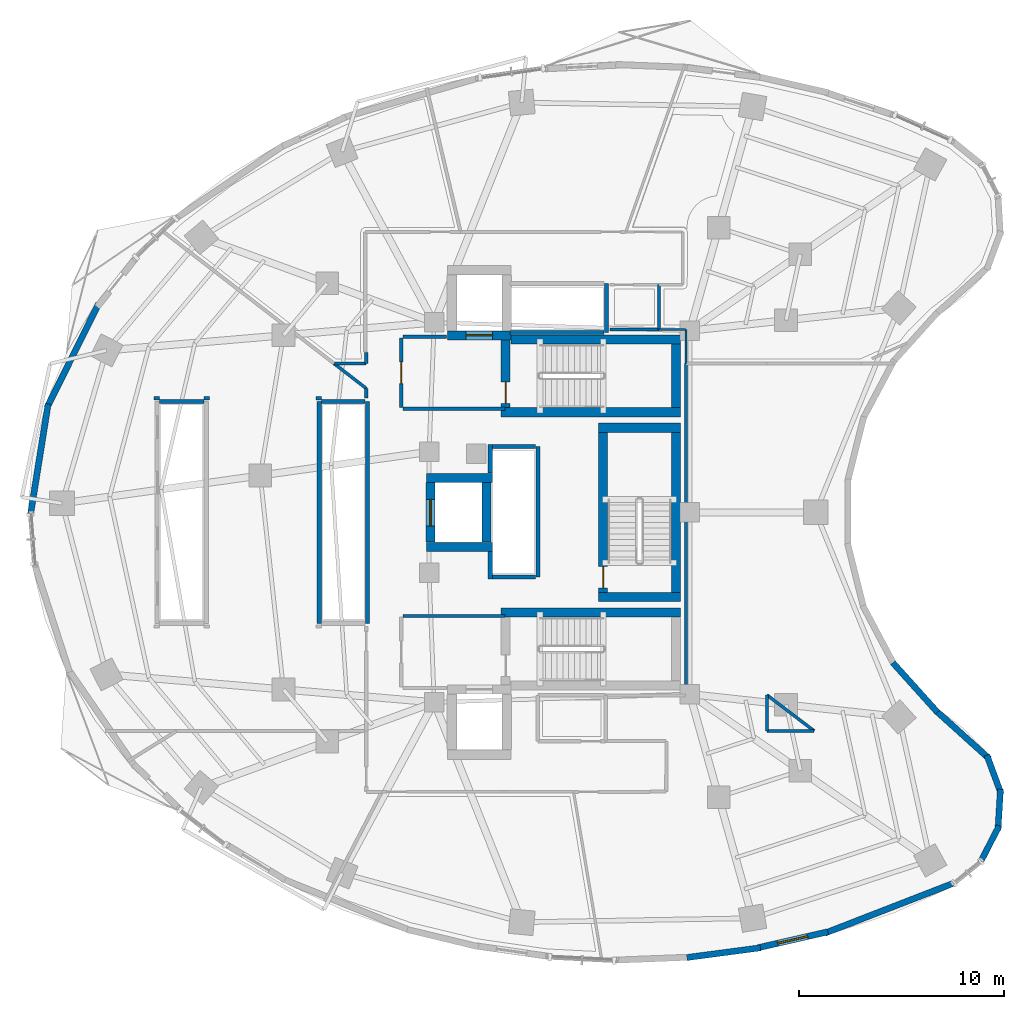
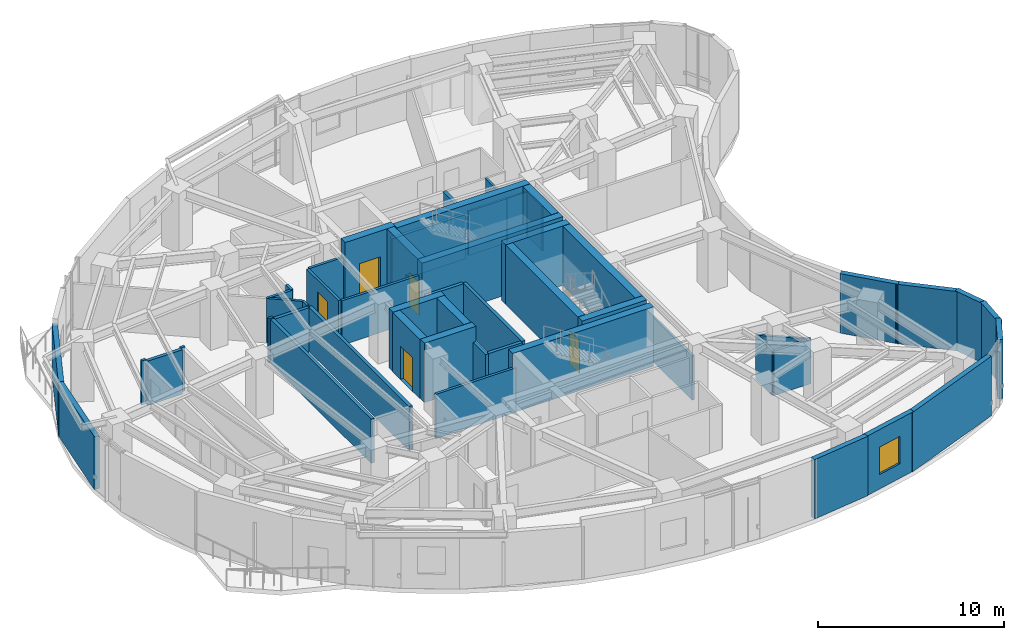
# One storey, part 9 of 14: 54 walls, 5 doors, 1 window, 6 openings.
"""IFC4 building model written with IfcOpenShell, lengths in metres."""

from ifc_helpers import new_model, si_unit, direction, frame, frame_2d, origin, place, context, subcontext, project, spatial, rectangle, extrude, material, layer, layer_set, type_object, element, fill, save


model = new_model("IFC4")

# Units and contexts
model_context = context("Model", 3, precision=1e-05, world=origin(), true_north=direction((0.0, 1.0)))
body_context = subcontext(model_context, "Body", "Model", "MODEL_VIEW")
ifc_project = project(units=[si_unit("LENGTHUNIT", "METRE"), si_unit("AREAUNIT", "SQUARE_METRE"), si_unit("VOLUMEUNIT", "CUBIC_METRE"), si_unit("PLANEANGLEUNIT", "RADIAN"), si_unit("MASSUNIT", "GRAM", prefix="KILO")], contexts=[model_context])

# Site, building, storey
site_placement = place(None, origin())
site = spatial("IfcSite", under=ifc_project, at=site_placement, CompositionType="ELEMENT")
building_placement = place(site_placement, origin())
building = spatial("IfcBuilding", under=site, at=building_placement, Name="Korentha Bioscience Tower", CompositionType="ELEMENT")
storey_placement = place(building_placement, frame((0.0, 0.0, 132.0)))
storey = spatial("IfcBuildingStorey", under=building, at=storey_placement, Name="L30", CompositionType="ELEMENT", Elevation=132.0)

# Walls
ifc_material_1 = material(Name="Double-Stud Acoustic Gypsum", Category="gypsum")
ifc_layer_1 = layer(ifc_material_1, 0.14990234375, Name="Double-Stud Acoustic Gypsum")
ifc_layer_set_1 = layer_set([ifc_layer_1], Name="Double-Stud Acoustic Gypsum (IW-L150)")
wall_type_1 = type_object("IfcWallType", Name="Acoustic Laboratory Partition Wall 150", PredefinedType="PARTITIONING", material=ifc_layer_set_1)
wall_1_placement = place(storey_placement, frame((20.2236328125, 34.247802734375, 0.0), z_axis=(0.0, 0.0, 1.0), x_axis=(0.791333823313, -0.611384314552, 0.0)))
element("IfcWall", 1, at=wall_1_placement, inside=storey, type_object=wall_type_1, Name="L30 Interior Partition 016", PredefinedType="PARTITIONING", context=body_context, shape_type="SweptSolid", body=[
    extrude(rectangle(XDim=1.9794921875, YDim=0.14990234375, at=frame_2d((0.98974609375, 0.0))), origin(), (0.0, 0.0, 1.0), 2.909912109375),
])
wall_2_placement = place(storey_placement, frame((21.7900390625, 33.03759765625, 0.0), z_axis=(0.0, 0.0, 1.0), x_axis=(0.0, -1.0, 0.0)))
element("IfcWall", 2, at=wall_2_placement, inside=storey, type_object=wall_type_1, Name="L30 Interior Partition 017", PredefinedType="PARTITIONING", context=body_context, shape_type="SweptSolid", body=[
    extrude(rectangle(XDim=0.4775390625, YDim=0.14990234375, at=frame_2d((0.23876953125, 0.0))), origin(), (0.0, 0.0, 1.0), 2.909912109375),
])
for number, where, z_axis, x_axis, name in (
    (3, (19.6201171875, 32.56005859375, 0.0), (0.0, 0.0, 1.0), (-1.0, 0.0, 0.0), "L30 Interior Partition 018"),
    (4, (14.14990234375, 32.56005859375, 0.0), (0.0, 0.0, 1.0), (-1.0, 0.0, 0.0), "L30 Interior Partition 022"),
    (5, (11.719970703125, 32.56005859375, 0.0), (0.0, 0.0, 1.0), (-1.0, 0.0, 0.0), "L30 Interior Partition 023"),
):
    element("IfcWall", number, at=place(storey_placement, frame(where, z_axis=z_axis, x_axis=x_axis)), inside=storey, type_object=wall_type_1, Name=name, PredefinedType="PARTITIONING", context=body_context, shape_type="SweptSolid", body=[
        extrude(rectangle(XDim=0.27001953125, YDim=0.14990234375, at=frame_2d((0.135009765625, 0.0))), origin(), (0.0, 0.0, 1.0), 2.909912109375),
    ])
wall_3_placement = place(storey_placement, frame((37.360107421875, 18.10009765625, 0.0), z_axis=(0.0, 0.0, 1.0), x_axis=(0.0, 1.0, 0.0)))
element("IfcWall", 6, at=wall_3_placement, inside=storey, type_object=wall_type_1, Name="L30 Interior Partition 038", PredefinedType="PARTITIONING", context=body_context, shape_type="SweptSolid", body=[
    extrude(rectangle(XDim=16.14794921875, YDim=0.14990234375, at=frame_2d((8.073974609375, 0.0))), origin(), (0.0, 0.0, 1.0), 2.909912109375),
])
wall_4_placement = place(storey_placement, frame((41.302001953125, 16.347900390625, 0.0), z_axis=(0.0, 0.0, 1.0), x_axis=(1.0, 0.0, 0.0)))
element("IfcWall", 7, at=wall_4_placement, inside=storey, type_object=wall_type_1, Name="L30 Interior Partition 040", PredefinedType="PARTITIONING", context=body_context, shape_type="SweptSolid", body=[
    extrude(rectangle(XDim=2.302978515625, YDim=0.14990234375, at=frame_2d((1.1513671875, 0.0))), origin(), (0.0, 0.0, 1.0), 2.909912109375),
])
wall_5_placement = place(storey_placement, frame((43.607421875, 16.355224609375, 0.0), z_axis=(0.0, 0.0, 1.0), x_axis=(-0.795962153219, 0.605346388974, 0.0)))
element("IfcWall", 8, at=wall_5_placement, inside=storey, type_object=wall_type_1, Name="L30 Interior Partition 041", PredefinedType="PARTITIONING", context=body_context, shape_type="SweptSolid", body=[
    extrude(rectangle(XDim=2.893310546875, YDim=0.14990234375, at=frame_2d((1.44677734375, 0.0))), origin(), (0.0, 0.0, 1.0), 2.909912109375),
])
wall_6_placement = place(storey_placement, frame((41.298095703125, 18.103515625, 0.0), z_axis=(0.0, 0.0, 1.0), x_axis=(0.0, -1.0, 0.0)))
element("IfcWall", 9, at=wall_6_placement, inside=storey, type_object=wall_type_1, Name="L30 Interior Partition 042", PredefinedType="PARTITIONING", context=body_context, shape_type="SweptSolid", body=[
    extrude(rectangle(XDim=1.751220703125, YDim=0.14990234375, at=frame_2d((0.87548828125, 0.0))), origin(), (0.0, 0.0, 1.0), 2.909912109375),
])
ifc_material_2 = material(Name="Fire-Rated Framed Glass", Category="glass")
ifc_layer_2 = layer(ifc_material_2, 0.110107421875, Name="Fire-Rated Framed Glass")
ifc_layer_set_2 = layer_set([ifc_layer_2], Name="Fire-Rated Framed Glass (IW-G110)")
wall_type_2 = type_object("IfcWallType", Name="Demountable Glazed Office Partition 110", PredefinedType="MOVABLE", material=ifc_layer_set_2)
wall_7_placement = place(storey_placement, frame((37.360107421875, 34.258056640625, 0.0), z_axis=(0.0, 0.0, 1.0), x_axis=(0.0, 1.0, 0.0)))
element("IfcWall", 10, at=wall_7_placement, inside=storey, type_object=wall_type_2, Name="L30 Interior Partition 044", PredefinedType="MOVABLE", context=body_context, shape_type="SweptSolid", body=[
    extrude(rectangle(XDim=1.641845703125, YDim=0.110107421875, at=frame_2d((0.82080078125, 0.0))), origin(), (0.0, 0.0, 1.0), 2.909912109375),
])
wall_8_placement = place(storey_placement, frame((37.35009765625, 35.909912109375, 0.0), z_axis=(0.0, 0.0, 1.0), x_axis=(-1.0, 0.0, 0.0)))
element("IfcWall", 11, at=wall_8_placement, inside=storey, type_object=wall_type_2, Name="L30 Interior Partition 045", PredefinedType="MOVABLE", context=body_context, shape_type="SweptSolid", body=[
    extrude(rectangle(XDim=1.2900390625, YDim=0.110107421875, at=frame_2d((0.64501953125, 0.0))), origin(), (0.0, 0.0, 1.0), 2.909912109375),
])

# Wall, opening, door
ifc_material_3 = material(Name="Gypsum-Clad Steel Stud", Category="steel")
ifc_layer_3 = layer(ifc_material_3, 0.159912109375, Name="Gypsum-Clad Steel Stud")
ifc_layer_set_3 = layer_set([ifc_layer_3], Name="Gypsum-Clad Steel Stud (IW-C160)")
wall_type_3 = type_object("IfcWallType", Name="Fire-Rated Corridor Partition Wall 160", PredefinedType="PARTITIONING", material=ifc_layer_set_3)
wall_9_placement = place(storey_placement, frame((23.5, 32.10009765625, 0.0), z_axis=(0.0, 0.0, 1.0), x_axis=(0.0, 1.0, 0.0)))
wall_9 = element("IfcWall", 12, at=wall_9_placement, inside=storey, type_object=wall_type_3, Name="L30 FFLN-CW Rated Enclosure Wall", PredefinedType="PARTITIONING", context=body_context, shape_type="SweptSolid", body=[
    extrude(rectangle(XDim=3.39990234375, YDim=0.159912109375, at=frame_2d((1.699951171875, 0.0))), origin(), (0.0, 0.0, 1.0), 2.909912109375),
])
opening_1_placement = place(wall_9_placement, frame((1.175048828125, 0.0, 0.0)))
opening_1 = element("IfcOpeningElement", 13, at=opening_1_placement, cuts=wall_9, Name="Opening FD-90L", PredefinedType="OPENING", context=body_context, shape_type="SweptSolid", body=[
    extrude(rectangle(XDim=1.050048828125, YDim=2.14990234375, at=frame_2d((0.52490234375, 1.074951171875))), frame((0.0, 0.0947265625, 0.0), z_axis=(0.0, -1.0, 0.0), x_axis=(1.0, 0.0, 0.0)), (0.0, 0.0, 1.0), 0.189697265625),
])
ifc_material_4 = material(Name="Powder-Coated Fire-Rated Steel", Category="steel")
door_type_1 = type_object("IfcDoorType", Name="Stairwell Fire Exit Door 1050x2150 Left", OperationType="SINGLE_SWING_LEFT", PredefinedType="DOOR", material=ifc_material_4)
door_1_placement = place(opening_1_placement, origin())
door_1 = element("IfcDoor", 14, at=door_1_placement, inside=storey, type_object=door_type_1, Name="L30 North Firefighting Lobby Door", OperationType="SINGLE_SWING_LEFT", OverallHeight=2.14990234375, OverallWidth=1.050048828125, PredefinedType="DOOR", context=body_context, shape_type="SweptSolid", body=[
    extrude(rectangle(XDim=1.050048828125, YDim=2.14990234375, at=frame_2d((0.52490234375, 1.074951171875))), frame((0.0, 0.02490234375, 0.0), z_axis=(0.0, -1.0, 0.0), x_axis=(1.0, 0.0, 0.0)), (0.0, 0.0, 1.0), 0.050048828125),
])
fill(opening_1, door_1)

# Walls
wall_10_placement = place(storey_placement, frame((23.580078125, 32.050048828125, 0.0), z_axis=(0.0, 0.0, 1.0), x_axis=(1.0, 0.0, 0.0)))
element("IfcWall", 15, at=wall_10_placement, inside=storey, type_object=wall_type_3, Name="L30 Firefighting Lobby Return Wall FFLN-S", PredefinedType="PARTITIONING", context=body_context, shape_type="SweptSolid", body=[
    extrude(rectangle(XDim=4.969970703125, YDim=0.159912109375, at=frame_2d((2.48486328125, 0.0))), origin(), (0.0, 0.0, 1.0), 2.909912109375),
])
wall_11_placement = place(storey_placement, frame((23.580078125, 35.550048828125, 0.0), z_axis=(0.0, 0.0, 1.0), x_axis=(1.0, 0.0, 0.0)))
element("IfcWall", 16, at=wall_11_placement, inside=storey, type_object=wall_type_3, Name="L30 Firefighting Lobby Return Wall FFLN-N", PredefinedType="PARTITIONING", context=body_context, shape_type="SweptSolid", body=[
    extrude(rectangle(XDim=2.119873046875, YDim=0.159912109375, at=frame_2d((1.06005859375, 0.0))), origin(), (0.0, 0.0, 1.0), 2.909912109375),
])
wall_12_placement = place(storey_placement, frame((23.580078125, 21.949951171875, 0.0), z_axis=(0.0, 0.0, 1.0), x_axis=(1.0, 0.0, 0.0)))
element("IfcWall", 17, at=wall_12_placement, inside=storey, type_object=wall_type_3, Name="L30 Firefighting Lobby Return Wall FFLS-N", PredefinedType="PARTITIONING", context=body_context, shape_type="SweptSolid", body=[
    extrude(rectangle(XDim=4.969970703125, YDim=0.159912109375, at=frame_2d((2.48486328125, 0.0))), origin(), (0.0, 0.0, 1.0), 2.909912109375),
])
wall_13_placement = place(storey_placement, frame((21.7900390625, 34.7900390625, 0.0), z_axis=(0.0, 0.0, 1.0), x_axis=(0.0, -1.0, 0.0)))
element("IfcWall", 18, at=wall_13_placement, inside=storey, type_object=wall_type_3, Name="L30 Interior Partition 051", PredefinedType="PARTITIONING", context=body_context, shape_type="SweptSolid", body=[
    extrude(rectangle(XDim=0.5380859375, YDim=0.159912109375, at=frame_2d((0.26904296875, 0.0))), origin(), (0.0, 0.0, 1.0), 2.909912109375),
])
wall_14_placement = place(storey_placement, frame((21.7900390625, 34.251953125, 0.0), z_axis=(0.0, 0.0, 1.0), x_axis=(-1.0, 0.0, 0.0)))
element("IfcWall", 19, at=wall_14_placement, inside=storey, type_object=wall_type_3, Name="L30 Interior Partition 052", PredefinedType="PARTITIONING", context=body_context, shape_type="SweptSolid", body=[
    extrude(rectangle(XDim=1.555419921875, YDim=0.159912109375, at=frame_2d((0.77783203125, 0.0))), origin(), (0.0, 0.0, 1.0), 2.909912109375),
])

# Wall, opening, window
ifc_material_5 = material(Name="Honed Limestone Precast Concrete C40", Category="masonry")
ifc_layer_4 = layer(ifc_material_5, 0.300048828125, Name="Honed Limestone Precast Concrete C40")
ifc_layer_set_4 = layer_set([ifc_layer_4], Name="Honed Limestone Precast Concrete C40 (EW-ST300)")
wall_type_4 = type_object("IfcWallType", Name="Honed Limestone Cavity Spandrel Wall 300", PredefinedType="STANDARD", material=ifc_layer_set_4)
wall_15_placement = place(storey_placement, frame((40.831298828125, 5.7861328125, 0.0), z_axis=(0.0, 0.0, 1.0), x_axis=(0.974836214244, 0.222922307989, 0.0)))
wall_15 = element("IfcWall", 20, at=wall_15_placement, inside=storey, type_object=wall_type_4, Name="L30 Honed Limestone Spandrel Wall 34", PredefinedType="STANDARD", context=body_context, shape_type="SweptSolid", body=[
    extrude(rectangle(XDim=3.53515625, YDim=0.300048828125, at=frame_2d((1.767578125, 0.0))), origin(), (0.0, 0.0, 1.0), 3.89990234375),
])
opening_2_placement = place(wall_15_placement, frame((1.017578125, 0.0, 0.949951171875)))
opening_2 = element("IfcOpeningElement", 21, at=opening_2_placement, cuts=wall_15, Name="Opening WN-02", PredefinedType="OPENING", context=body_context, shape_type="SweptSolid", body=[
    extrude(rectangle(XDim=1.5, YDim=1.800048828125, at=frame_2d((0.75, 0.89990234375))), frame((0.0, 0.1650390625, 0.0), z_axis=(0.0, -1.0, 0.0), x_axis=(1.0, 0.0, 0.0)), (0.0, 0.0, 1.0), 0.329833984375),
])
ifc_material_6 = material(Name="Thermally Broken Aluminium Triple Glazing", Category="aluminium")
window_type = type_object("IfcWindowType", Name="Acoustic Operable Office Window 1500x1800", PartitioningType="DOUBLE_PANEL_VERTICAL", PredefinedType="WINDOW", material=ifc_material_6)
window_placement = place(opening_2_placement, origin())
window = element("IfcWindow", 22, at=window_placement, inside=storey, type_object=window_type, Name="L30 Facade Window 34", OverallHeight=1.800048828125, OverallWidth=1.5, PartitioningType="DOUBLE_PANEL_VERTICAL", PredefinedType="WINDOW", context=body_context, shape_type="SweptSolid", body=[
    extrude(rectangle(XDim=1.5, YDim=1.800048828125, at=frame_2d((0.75, 0.89990234375))), frame((0.0, 0.030029296875, 0.0), z_axis=(0.0, -1.0, 0.0), x_axis=(1.0, 0.0, 0.0)), (0.0, 0.0, 1.0), 0.06005859375),
])
fill(opening_2, window)

# Walls
wall_16_placement = place(storey_placement, frame((8.757568359375, 37.16259765625, 0.0), z_axis=(0.0, 0.0, 1.0), x_axis=(-0.445298052399, -0.895382401284, 0.0)))
element("IfcWall", 23, at=wall_16_placement, inside=storey, type_object=wall_type_4, Name="L30 Limestone Perimeter Closure Wall 15", PredefinedType="STANDARD", context=body_context, shape_type="SweptSolid", body=[
    extrude(rectangle(XDim=5.661865234375, YDim=0.300048828125, at=frame_2d((2.8310546875, 0.0))), origin(), (0.0, 0.0, 1.0), 3.469970703125),
])
wall_17_placement = place(storey_placement, frame((6.29736328125, 32.2841796875, 0.0), z_axis=(0.0, 0.0, 1.0), x_axis=(-0.157279785013, -0.987554084203, 0.0)))
element("IfcWall", 24, at=wall_17_placement, inside=storey, type_object=wall_type_4, Name="L30 Limestone Perimeter Closure Wall 17", PredefinedType="STANDARD", context=body_context, shape_type="SweptSolid", body=[
    extrude(rectangle(XDim=5.453125, YDim=0.300048828125, at=frame_2d((2.7265625, 0.0))), origin(), (0.0, 0.0, 1.0), 3.469970703125),
])
wall_18_placement = place(storey_placement, frame((37.40234375, 5.319091796875, 0.0), z_axis=(0.0, 0.0, 1.0), x_axis=(0.991372969521, 0.131071107816, 0.0)))
element("IfcWall", 25, at=wall_18_placement, inside=storey, type_object=wall_type_4, Name="L30 Limestone Perimeter Closure Wall 33", PredefinedType="STANDARD", context=body_context, shape_type="SweptSolid", body=[
    extrude(rectangle(XDim=3.615478515625, YDim=0.300048828125, at=frame_2d((1.8076171875, 0.0))), origin(), (0.0, 0.0, 1.0), 3.89990234375),
])
wall_19_placement = place(storey_placement, frame((44.12939453125, 6.50634765625, 0.0), z_axis=(0.0, 0.0, 1.0), x_axis=(0.932179361253, 0.36199673818, 0.0)))
element("IfcWall", 26, at=wall_19_placement, inside=storey, type_object=wall_type_4, Name="L30 Limestone Perimeter Closure Wall 35", PredefinedType="STANDARD", context=body_context, shape_type="SweptSolid", body=[
    extrude(rectangle(XDim=6.788818359375, YDim=0.300048828125, at=frame_2d((3.39453125, 0.0))), origin(), (0.0, 0.0, 1.0), 3.89990234375),
])
for number, where, z_axis, x_axis, name in (
    (27, (51.701171875, 9.953125, 0.0), (0.0, 0.0, 1.0), (0.457596540329, 0.889159944149, 0.0), "L30 Limestone Perimeter Closure Wall 38"),
    (28, (52.55859375, 11.522705078125, 0.0), (0.0, 0.0, 1.0), (0.060255200356, 0.998183004679, 0.0), "L30 Limestone Perimeter Closure Wall 39"),
):
    element("IfcWall", number, at=place(storey_placement, frame(where, z_axis=z_axis, x_axis=x_axis)), inside=storey, type_object=wall_type_4, Name=name, PredefinedType="STANDARD", context=body_context, shape_type="SweptSolid", body=[
        extrude(rectangle(XDim=1.99755859375, YDim=0.300048828125, at=frame_2d((0.998779296875, 0.0))), origin(), (0.0, 0.0, 1.0), 3.89990234375),
    ])
wall_20_placement = place(storey_placement, frame((52.710205078125, 13.3046875, 0.0), z_axis=(0.0, 0.0, 1.0), x_axis=(-0.347370087337, 0.937728117539, 0.0)))
element("IfcWall", 29, at=wall_20_placement, inside=storey, type_object=wall_type_4, Name="L30 Limestone Perimeter Closure Wall 40", PredefinedType="STANDARD", context=body_context, shape_type="SweptSolid", body=[
    extrude(rectangle(XDim=1.997314453125, YDim=0.300048828125, at=frame_2d((0.99853515625, 0.0))), origin(), (0.0, 0.0, 1.0), 3.89990234375),
])
wall_21_placement = place(storey_placement, frame((52.14111328125, 14.993896484375, 0.0), z_axis=(0.0, 0.0, 1.0), x_axis=(-0.74255963233, 0.669779958221, 0.0)))
element("IfcWall", 30, at=wall_21_placement, inside=storey, type_object=wall_type_4, Name="L30 Limestone Perimeter Closure Wall 41", PredefinedType="STANDARD", context=body_context, shape_type="SweptSolid", body=[
    extrude(rectangle(XDim=3.5390625, YDim=0.300048828125, at=frame_2d((1.76953125, 0.0))), origin(), (0.0, 0.0, 1.0), 3.89990234375),
])
wall_22_placement = place(storey_placement, frame((49.61572265625, 17.26171875, 0.0), z_axis=(0.0, 0.0, 1.0), x_axis=(-0.669167727967, 0.743111399353, 0.0)))
element("IfcWall", 31, at=wall_22_placement, inside=storey, type_object=wall_type_4, Name="L30 Limestone Perimeter Closure Wall 43", PredefinedType="STANDARD", context=body_context, shape_type="SweptSolid", body=[
    extrude(rectangle(XDim=3.25537109375, YDim=0.300048828125, at=frame_2d((1.627685546875, 0.0))), origin(), (0.0, 0.0, 1.0), 3.89990234375),
])
ifc_material_7 = material(Name="Autoclaved Aerated Concrete Block C25", Category="concrete")
ifc_layer_5 = layer(ifc_material_7, 0.199951171875, Name="Autoclaved Aerated Concrete Block C25")
ifc_layer_set_5 = layer_set([ifc_layer_5], Name="Autoclaved Aerated Concrete Block C25 (IW-S200)")
wall_type_5 = type_object("IfcWallType", Name="Lift and Riser Shaft Enclosure Wall 200", PredefinedType="PARTITIONING", material=ifc_layer_set_5)
wall_23_placement = place(storey_placement, frame((11.719970703125, 32.39990234375, 0.0), z_axis=(0.0, 0.0, 1.0), x_axis=(1.0, 0.0, 0.0)))
element("IfcWall", 32, at=wall_23_placement, inside=storey, type_object=wall_type_5, Name="L30 Lift Bank LOW Shaft Wall +Y", PredefinedType="PARTITIONING", context=body_context, shape_type="SweptSolid", body=[
    extrude(rectangle(XDim=2.159912109375, YDim=0.199951171875, at=frame_2d((1.080078125, 0.0))), origin(), (0.0, 0.0, 1.0), 2.909912109375),
])
for number, where, z_axis, x_axis, name in (
    (33, (19.5, 21.60009765625, 0.0), (0.0, 0.0, 1.0), (0.0, 1.0, 0.0), "L30 Lift Bank MID Shaft Wall -X"),
    (34, (21.85009765625, 21.60009765625, 0.0), (0.0, 0.0, 1.0), (0.0, 1.0, 0.0), "L30 Lift Bank MID Shaft Wall +X"),
):
    element("IfcWall", number, at=place(storey_placement, frame(where, z_axis=z_axis, x_axis=x_axis)), inside=storey, type_object=wall_type_5, Name=name, PredefinedType="PARTITIONING", context=body_context, shape_type="SweptSolid", body=[
        extrude(rectangle(XDim=10.7998046875, YDim=0.199951171875, at=frame_2d((5.39990234375, 0.0))), origin(), (0.0, 0.0, 1.0), 2.909912109375),
    ])
wall_24_placement = place(storey_placement, frame((19.6201171875, 32.39990234375, 0.0), z_axis=(0.0, 0.0, 1.0), x_axis=(1.0, 0.0, 0.0)))
element("IfcWall", 35, at=wall_24_placement, inside=storey, type_object=wall_type_5, Name="L30 Lift Bank MID Shaft Wall +Y", PredefinedType="PARTITIONING", context=body_context, shape_type="SweptSolid", body=[
    extrude(rectangle(XDim=2.10986328125, YDim=0.199951171875, at=frame_2d((1.054931640625, 0.0))), origin(), (0.0, 0.0, 1.0), 2.909912109375),
])
wall_25_placement = place(storey_placement, frame((27.830078125, 23.75, 0.0), z_axis=(0.0, 0.0, 1.0), x_axis=(0.0, 1.0, 0.0)))
element("IfcWall", 36, at=wall_25_placement, inside=storey, type_object=wall_type_5, Name="L30 Lift Bank HIGH Shaft Wall -XS", PredefinedType="PARTITIONING", context=body_context, shape_type="SweptSolid", body=[
    extrude(rectangle(XDim=1.341064453125, YDim=0.199951171875, at=frame_2d((0.67041015625, 0.0))), origin(), (0.0, 0.0, 1.0), 2.909912109375),
])
wall_26_placement = place(storey_placement, frame((27.830078125, 28.908935546875, 0.0), z_axis=(0.0, 0.0, 1.0), x_axis=(0.0, 1.0, 0.0)))
element("IfcWall", 37, at=wall_26_placement, inside=storey, type_object=wall_type_5, Name="L30 Lift Bank HIGH Shaft Wall -XN", PredefinedType="PARTITIONING", context=body_context, shape_type="SweptSolid", body=[
    extrude(rectangle(XDim=1.39111328125, YDim=0.199951171875, at=frame_2d((0.695556640625, 0.0))), origin(), (0.0, 0.0, 1.0), 2.909912109375),
])
wall_27_placement = place(storey_placement, frame((30.14990234375, 23.85009765625, 0.0), z_axis=(0.0, 0.0, 1.0), x_axis=(0.0, 1.0, 0.0)))
element("IfcWall", 38, at=wall_27_placement, inside=storey, type_object=wall_type_5, Name="L30 Lift Bank HIGH Shaft Wall +X", PredefinedType="PARTITIONING", context=body_context, shape_type="SweptSolid", body=[
    extrude(rectangle(XDim=6.349853515625, YDim=0.199951171875, at=frame_2d((3.1748046875, 0.0))), origin(), (0.0, 0.0, 1.0), 2.909912109375),
])
for number, where, z_axis, x_axis, name in (
    (39, (27.93408203125, 23.85009765625, 0.0), (0.0, 0.0, 1.0), (1.0, 0.0, 0.0), "L30 Lift Bank HIGH Shaft Wall -Y"),
    (40, (27.93408203125, 30.199951171875, 0.0), (0.0, 0.0, 1.0), (1.0, 0.0, 0.0), "L30 Lift Bank HIGH Shaft Wall +Y"),
):
    element("IfcWall", number, at=place(storey_placement, frame(where, z_axis=z_axis, x_axis=x_axis)), inside=storey, type_object=wall_type_5, Name=name, PredefinedType="PARTITIONING", context=body_context, shape_type="SweptSolid", body=[
        extrude(rectangle(XDim=2.095947265625, YDim=0.199951171875, at=frame_2d((1.0478515625, 0.0))), origin(), (0.0, 0.0, 1.0), 2.909912109375),
    ])
wall_28_placement = place(storey_placement, frame((33.489990234375, 35.760009765625, 0.0), z_axis=(0.0, 0.0, 1.0), x_axis=(0.0, 1.0, 0.0)))
element("IfcWall", 41, at=wall_28_placement, inside=storey, type_object=wall_type_5, Name="L30 Lift Bank OBS Shaft Wall +X", PredefinedType="PARTITIONING", context=body_context, shape_type="SweptSolid", body=[
    extrude(rectangle(XDim=2.3798828125, YDim=0.199951171875, at=frame_2d((1.18994140625, 0.0))), origin(), (0.0, 0.0, 1.0), 2.909912109375),
])
wall_29_placement = place(storey_placement, frame((28.800048828125, 35.760009765625, 0.0), z_axis=(0.0, 0.0, 1.0), x_axis=(1.0, 0.0, 0.0)))
element("IfcWall", 42, at=wall_29_placement, inside=storey, type_object=wall_type_5, Name="L30 Lift Bank OBS Shaft Wall -Y", PredefinedType="PARTITIONING", context=body_context, shape_type="SweptSolid", body=[
    extrude(rectangle(XDim=4.570068359375, YDim=0.199951171875, at=frame_2d((2.28515625, 0.0))), origin(), (0.0, 0.0, 1.0), 2.909912109375),
])
ifc_material_8 = material(Name="Concrete C80", Category="concrete")
ifc_layer_6 = layer(ifc_material_8, 0.449951171875, Name="Concrete C80")
ifc_layer_set_6 = layer_set([ifc_layer_6], Name="Concrete C80 (CW-C80)")
wall_type_6 = type_object("IfcWallType", Name="Lower Core Shear Wall 450", PredefinedType="SHEAR", material=ifc_layer_set_6)
wall_30_placement = place(storey_placement, frame((28.85205078125, 35.425048828125, 0.0), z_axis=(0.0, 0.0, 1.0), x_axis=(1.0, 0.0, 0.0)))
element("IfcWall", 43, at=wall_30_placement, inside=storey, type_object=wall_type_6, Name="L30 Core Shear Wall ST1-N", PredefinedType="SHEAR", context=body_context, shape_type="SweptSolid", body=[
    extrude(rectangle(XDim=8.248046875, YDim=0.449951171875, at=frame_2d((4.1240234375, 0.0))), origin(), (0.0, 0.0, 1.0), 3.89990234375),
])
wall_31_placement = place(storey_placement, frame((28.35009765625, 31.875, 0.0), z_axis=(0.0, 0.0, 1.0), x_axis=(1.0, 0.0, 0.0)))
element("IfcWall", 44, at=wall_31_placement, inside=storey, type_object=wall_type_6, Name="L30 Core Shear Wall ST1-S", PredefinedType="SHEAR", context=body_context, shape_type="SweptSolid", body=[
    extrude(rectangle(XDim=8.75, YDim=0.449951171875, at=frame_2d((4.375, 0.0))), origin(), (0.0, 0.0, 1.0), 3.89990234375),
])
wall_32_placement = place(storey_placement, frame((36.875, 32.110107421875, 0.0), z_axis=(0.0, 0.0, 1.0), x_axis=(0.0, 1.0, 0.0)))
element("IfcWall", 45, at=wall_32_placement, inside=storey, type_object=wall_type_6, Name="L30 Core Shear Wall ST1-E", PredefinedType="SHEAR", context=body_context, shape_type="SweptSolid", body=[
    extrude(rectangle(XDim=3.079833984375, YDim=0.449951171875, at=frame_2d((1.5400390625, 0.0))), origin(), (0.0, 0.0, 1.0), 3.89990234375),
])

# Wall, opening, door
wall_33_placement = place(storey_placement, frame((28.574951171875, 32.110107421875, 0.0), z_axis=(0.0, 0.0, 1.0), x_axis=(0.0, 1.0, 0.0)))
wall_33 = element("IfcWall", 46, at=wall_33_placement, inside=storey, type_object=wall_type_6, Name="L30 Core Shear Wall ST1-W", PredefinedType="SHEAR", context=body_context, shape_type="SweptSolid", body=[
    extrude(rectangle(XDim=3.282958984375, YDim=0.449951171875, at=frame_2d((1.6416015625, 0.0))), origin(), (0.0, 0.0, 1.0), 3.89990234375),
])
opening_3_placement = place(wall_33_placement, frame((0.199951171875, 0.0, 0.0)))
opening_3 = element("IfcOpeningElement", 47, at=opening_3_placement, cuts=wall_33, Name="Opening FD-90L", PredefinedType="OPENING", context=body_context, shape_type="SweptSolid", body=[
    extrude(rectangle(XDim=1.050048828125, YDim=2.14990234375, at=frame_2d((0.52490234375, 1.074951171875))), frame((0.0, 0.23974609375, 0.0), z_axis=(0.0, -1.0, 0.0), x_axis=(1.0, 0.0, 0.0)), (0.0, 0.0, 1.0), 0.479736328125),
])
door_2_placement = place(opening_3_placement, origin())
door_2 = element("IfcDoor", 48, at=door_2_placement, inside=storey, type_object=door_type_1, Name="L30 ST-1 Fire Exit Stair Door", OperationType="SINGLE_SWING_LEFT", OverallHeight=2.14990234375, OverallWidth=1.050048828125, PredefinedType="DOOR", context=body_context, shape_type="SweptSolid", body=[
    extrude(rectangle(XDim=1.050048828125, YDim=2.14990234375, at=frame_2d((0.52490234375, 1.074951171875))), frame((0.0, 0.02490234375, 0.0), z_axis=(0.0, -1.0, 0.0), x_axis=(1.0, 0.0, 0.0)), (0.0, 0.0, 1.0), 0.050048828125),
])
fill(opening_3, door_2)

# Walls
wall_34_placement = place(storey_placement, frame((28.35009765625, 22.125, 0.0), z_axis=(0.0, 0.0, 1.0), x_axis=(1.0, 0.0, 0.0)))
element("IfcWall", 49, at=wall_34_placement, inside=storey, type_object=wall_type_6, Name="L30 Core Shear Wall ST2-N", PredefinedType="SHEAR", context=body_context, shape_type="SweptSolid", body=[
    extrude(rectangle(XDim=8.75, YDim=0.449951171875, at=frame_2d((4.375, 0.0))), origin(), (0.0, 0.0, 1.0), 3.89990234375),
])
for number, where, z_axis, x_axis, name in (
    (50, (33.10009765625, 31.125, 0.0), (0.0, 0.0, 1.0), (1.0, 0.0, 0.0), "L30 Core Shear Wall ST3-N"),
    (51, (33.10009765625, 22.875, 0.0), (0.0, 0.0, 1.0), (1.0, 0.0, 0.0), "L30 Core Shear Wall ST3-S"),
):
    element("IfcWall", number, at=place(storey_placement, frame(where, z_axis=z_axis, x_axis=x_axis)), inside=storey, type_object=wall_type_6, Name=name, PredefinedType="SHEAR", context=body_context, shape_type="SweptSolid", body=[
        extrude(rectangle(XDim=4.0, YDim=0.449951171875, at=frame_2d((2.0, 0.0))), origin(), (0.0, 0.0, 1.0), 3.89990234375),
    ])
wall_35_placement = place(storey_placement, frame((36.875, 23.110107421875, 0.0), z_axis=(0.0, 0.0, 1.0), x_axis=(0.0, 1.0, 0.0)))
element("IfcWall", 52, at=wall_35_placement, inside=storey, type_object=wall_type_6, Name="L30 Core Shear Wall ST3-E", PredefinedType="SHEAR", context=body_context, shape_type="SweptSolid", body=[
    extrude(rectangle(XDim=7.77978515625, YDim=0.449951171875, at=frame_2d((3.889892578125, 0.0))), origin(), (0.0, 0.0, 1.0), 3.89990234375),
])

# Wall, opening, door
wall_36_placement = place(storey_placement, frame((33.324951171875, 23.110107421875, 0.0), z_axis=(0.0, 0.0, 1.0), x_axis=(0.0, 1.0, 0.0)))
wall_36 = element("IfcWall", 53, at=wall_36_placement, inside=storey, type_object=wall_type_6, Name="L30 Core Shear Wall ST3-W", PredefinedType="SHEAR", context=body_context, shape_type="SweptSolid", body=[
    extrude(rectangle(XDim=7.77978515625, YDim=0.449951171875, at=frame_2d((3.889892578125, 0.0))), origin(), (0.0, 0.0, 1.0), 3.89990234375),
])
opening_4_placement = place(wall_36_placement, frame((0.199951171875, 0.0, 0.0)))
opening_4 = element("IfcOpeningElement", 54, at=opening_4_placement, cuts=wall_36, Name="Opening FD-90L", PredefinedType="OPENING", context=body_context, shape_type="SweptSolid", body=[
    extrude(rectangle(XDim=1.050048828125, YDim=2.14990234375, at=frame_2d((0.52490234375, 1.074951171875))), frame((0.0, 0.23974609375, 0.0), z_axis=(0.0, -1.0, 0.0), x_axis=(1.0, 0.0, 0.0)), (0.0, 0.0, 1.0), 0.479736328125),
])
door_3_placement = place(opening_4_placement, origin())
door_3 = element("IfcDoor", 55, at=door_3_placement, inside=storey, type_object=door_type_1, Name="L30 ST-3 Fire Exit Stair Door", OperationType="SINGLE_SWING_LEFT", OverallHeight=2.14990234375, OverallWidth=1.050048828125, PredefinedType="DOOR", context=body_context, shape_type="SweptSolid", body=[
    extrude(rectangle(XDim=1.050048828125, YDim=2.14990234375, at=frame_2d((0.52490234375, 1.074951171875))), frame((0.0, 0.02490234375, 0.0), z_axis=(0.0, -1.0, 0.0), x_axis=(1.0, 0.0, 0.0)), (0.0, 0.0, 1.0), 0.050048828125),
])
fill(opening_4, door_3)

wall_37_placement = place(storey_placement, frame((25.75, 35.6201171875, 0.0), z_axis=(0.0, 0.0, 1.0), x_axis=(1.0, 0.0, 0.0)))
wall_37 = element("IfcWall", 56, at=wall_37_placement, inside=storey, type_object=wall_type_6, Name="L30 Core Shear Wall FFL2-S", PredefinedType="SHEAR", context=body_context, shape_type="SweptSolid", body=[
    extrude(rectangle(XDim=3.10009765625, YDim=0.449951171875, at=frame_2d((1.550048828125, 0.0))), origin(), (0.0, 0.0, 1.0), 3.89990234375),
])
opening_5_placement = place(wall_37_placement, frame((0.89990234375, 0.0, 0.0)))
opening_5 = element("IfcOpeningElement", 57, at=opening_5_placement, cuts=wall_37, Name="Opening LD-13", PredefinedType="OPENING", context=body_context, shape_type="SweptSolid", body=[
    extrude(rectangle(XDim=1.300048828125, YDim=2.199951171875, at=frame_2d((0.64990234375, 1.10009765625))), frame((0.0, 0.23974609375, 0.0), z_axis=(0.0, -1.0, 0.0), x_axis=(1.0, 0.0, 0.0)), (0.0, 0.0, 1.0), 0.479736328125),
])
ifc_material_9 = material(Name="Brushed Stainless Steel 316", Category="steel")
door_type_2 = type_object("IfcDoorType", Name="Service & Firefighting Lift Landing Door 1300x2300", OperationType="DOUBLE_DOOR_SLIDING", PredefinedType="DOOR", material=ifc_material_9)
door_4_placement = place(opening_5_placement, origin())
door_4 = element("IfcDoor", 58, at=door_4_placement, inside=storey, type_object=door_type_2, Name="L30 FFL-2 Sliding Lift Landing Door", OperationType="DOUBLE_DOOR_SLIDING", OverallHeight=2.199951171875, OverallWidth=1.300048828125, PredefinedType="DOOR", context=body_context, shape_type="SweptSolid", body=[
    extrude(rectangle(XDim=1.300048828125, YDim=2.199951171875, at=frame_2d((0.64990234375, 1.10009765625))), frame((0.0, 0.02490234375, 0.0), z_axis=(0.0, -1.0, 0.0), x_axis=(1.0, 0.0, 0.0)), (0.0, 0.0, 1.0), 0.050048828125),
])
fill(opening_5, door_4)

# Walls
for number, where, z_axis, x_axis, name in (
    (59, (24.719970703125, 28.679931640625, 0.0), (0.0, 0.0, 1.0), (1.0, 0.0, 0.0), "L30 Core Shear Wall SVL1-N"),
    (60, (24.719970703125, 25.320068359375, 0.0), (0.0, 0.0, 1.0), (1.0, 0.0, 0.0), "L30 Core Shear Wall SVL1-S"),
):
    element("IfcWall", number, at=place(storey_placement, frame(where, z_axis=z_axis, x_axis=x_axis)), inside=storey, type_object=wall_type_6, Name=name, PredefinedType="SHEAR", context=body_context, shape_type="SweptSolid", body=[
        extrude(rectangle(XDim=3.2099609375, YDim=0.449951171875, at=frame_2d((1.60498046875, 0.0))), origin(), (0.0, 0.0, 1.0), 3.89990234375),
    ])

# Wall, opening, door
wall_38_placement = place(storey_placement, frame((24.919921875, 25.547119140625, 0.0), z_axis=(0.0, 0.0, 1.0), x_axis=(0.0, 1.0, 0.0)))
wall_38 = element("IfcWall", 61, at=wall_38_placement, inside=storey, type_object=wall_type_6, Name="L30 Core Shear Wall SVL1-W", PredefinedType="SHEAR", context=body_context, shape_type="SweptSolid", body=[
    extrude(rectangle(XDim=2.90576171875, YDim=0.449951171875, at=frame_2d((1.452880859375, 0.0))), origin(), (0.0, 0.0, 1.0), 3.89990234375),
])
opening_6_placement = place(wall_38_placement, frame((0.7900390625, 0.0, 0.0)))
opening_6 = element("IfcOpeningElement", 62, at=opening_6_placement, cuts=wall_38, Name="Opening LD-13", PredefinedType="OPENING", context=body_context, shape_type="SweptSolid", body=[
    extrude(rectangle(XDim=1.300048828125, YDim=2.199951171875, at=frame_2d((0.64990234375, 1.10009765625))), frame((0.0, 0.23974609375, 0.0), z_axis=(0.0, -1.0, 0.0), x_axis=(1.0, 0.0, 0.0)), (0.0, 0.0, 1.0), 0.479736328125),
])
door_5_placement = place(opening_6_placement, origin())
door_5 = element("IfcDoor", 63, at=door_5_placement, inside=storey, type_object=door_type_2, Name="L30 SVL-1 Sliding Lift Landing Door", OperationType="DOUBLE_DOOR_SLIDING", OverallHeight=2.199951171875, OverallWidth=1.300048828125, PredefinedType="DOOR", context=body_context, shape_type="SweptSolid", body=[
    extrude(rectangle(XDim=1.300048828125, YDim=2.199951171875, at=frame_2d((0.64990234375, 1.10009765625))), frame((0.0, 0.02490234375, 0.0), z_axis=(0.0, -1.0, 0.0), x_axis=(1.0, 0.0, 0.0)), (0.0, 0.0, 1.0), 0.050048828125),
])
fill(opening_6, door_5)

# Walls
wall_39_placement = place(storey_placement, frame((27.64990234375, 25.547119140625, 0.0), z_axis=(0.0, 0.0, 1.0), x_axis=(0.0, 1.0, 0.0)))
element("IfcWall", 64, at=wall_39_placement, inside=storey, type_object=wall_type_6, Name="L30 Core Shear Wall SVL1-E", PredefinedType="SHEAR", context=body_context, shape_type="SweptSolid", body=[
    extrude(rectangle(XDim=2.90576171875, YDim=0.449951171875, at=frame_2d((1.452880859375, 0.0))), origin(), (0.0, 0.0, 1.0), 3.89990234375),
])
ifc_material_10 = material(Name="Cement-Board Steel Stud", Category="steel")
ifc_layer_7 = layer(ifc_material_10, 0.1298828125, Name="Cement-Board Steel Stud")
ifc_layer_set_7 = layer_set([ifc_layer_7], Name="Cement-Board Steel Stud (IW-W130)")
wall_type_7 = type_object("IfcWallType", Name="Wet-Area Moisture-Resistant Partition 130", PredefinedType="PARTITIONING", material=ifc_layer_set_7)
wall_40_placement = place(storey_placement, frame((36.050048828125, 35.909912109375, 0.0), z_axis=(0.0, 0.0, 1.0), x_axis=(-1.0, 0.0, 0.0)))
element("IfcWall", 65, at=wall_40_placement, inside=storey, type_object=wall_type_7, Name="L30 Interior Partition 013", PredefinedType="PARTITIONING", context=body_context, shape_type="SweptSolid", body=[
    extrude(rectangle(XDim=2.400146484375, YDim=0.1298828125, at=frame_2d((1.2001953125, 0.0))), origin(), (0.0, 0.0, 1.0), 2.909912109375),
])
wall_41_placement = place(storey_placement, frame((36.050048828125, 38.090087890625, 0.0), z_axis=(0.0, 0.0, 1.0), x_axis=(0.0, -1.0, 0.0)))
element("IfcWall", 66, at=wall_41_placement, inside=storey, type_object=wall_type_7, Name="L30 Interior Partition 014", PredefinedType="PARTITIONING", context=body_context, shape_type="SweptSolid", body=[
    extrude(rectangle(XDim=2.18017578125, YDim=0.1298828125, at=frame_2d((1.090087890625, 0.0))), origin(), (0.0, 0.0, 1.0), 2.909912109375),
])

save(model, "model.ifc")
